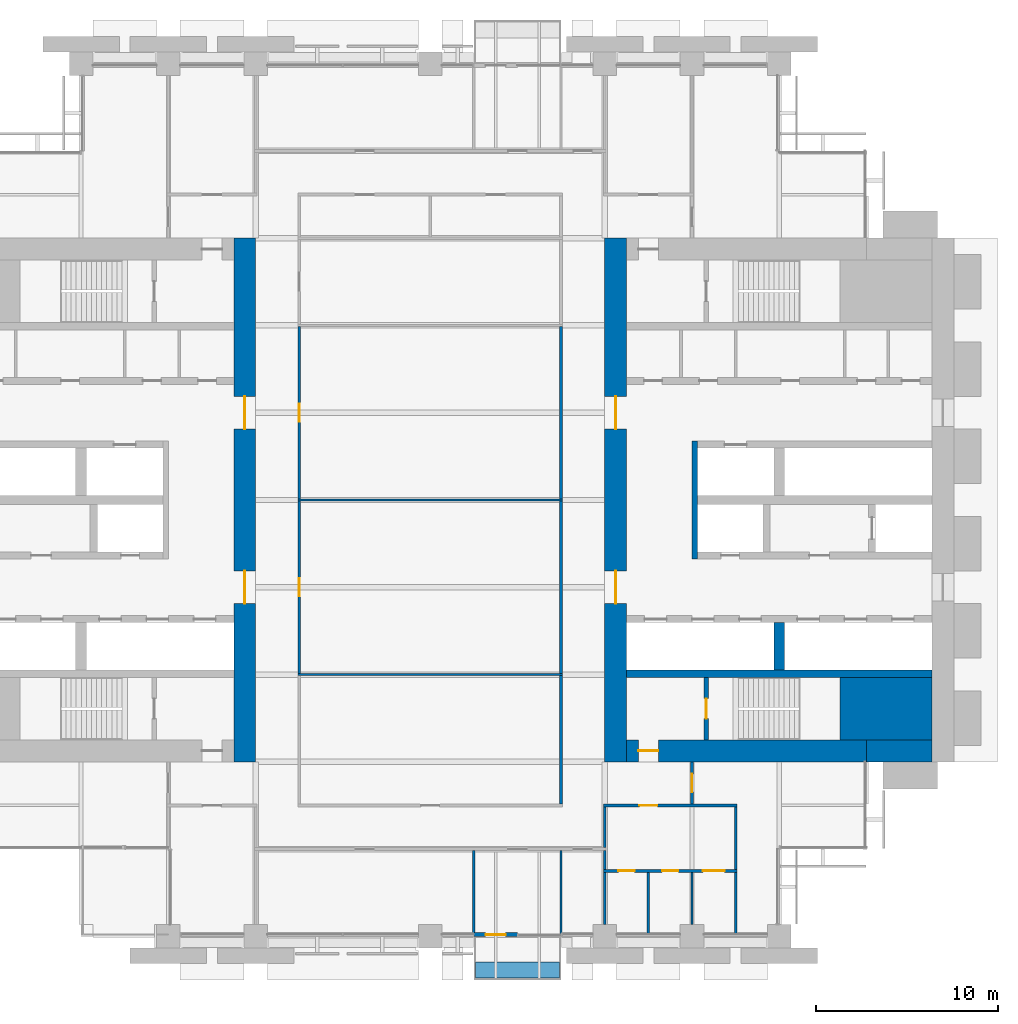
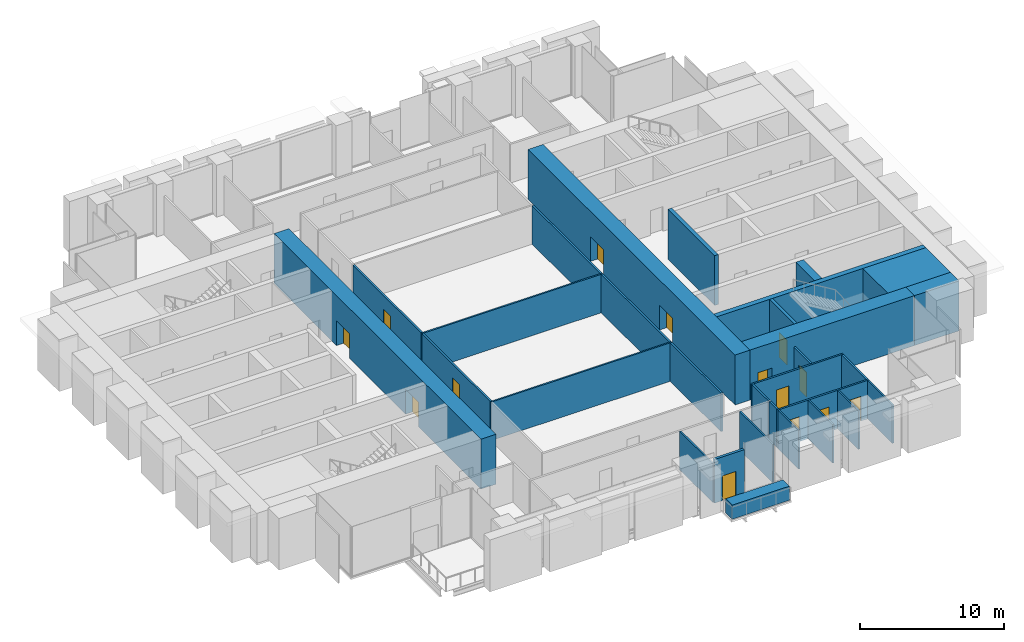
# One storey, part 10 of 15: 30 walls, 14 doors, 14 openings.
"""IFC4 building model written with IfcOpenShell, lengths in metres."""

from ifc_helpers import new_model, si_unit, direction, frame, frame_2d, origin, place, context, subcontext, project, spatial, rectangle, extrude, material, layer, layer_set, type_object, element, fill, save


model = new_model("IFC4")

# Units and contexts
model_context = context("Model", 3, precision=1e-05, world=origin(), true_north=direction((0.0, 1.0)))
body_context = subcontext(model_context, "Body", "Model", "MODEL_VIEW")
ifc_project = project(units=[si_unit("LENGTHUNIT", "METRE"), si_unit("AREAUNIT", "SQUARE_METRE"), si_unit("VOLUMEUNIT", "CUBIC_METRE"), si_unit("PLANEANGLEUNIT", "RADIAN"), si_unit("MASSUNIT", "GRAM", prefix="KILO")], contexts=[model_context])

# Site, building, storey
site_placement = place(None, origin())
site = spatial("IfcSite", under=ifc_project, at=site_placement, CompositionType="ELEMENT")
building_placement = place(site_placement, origin())
building = spatial("IfcBuilding", under=site, at=building_placement, Name="Baori Bourse Tower", CompositionType="ELEMENT")
storey_placement = place(building_placement, frame((0.0, 0.0, 34.60009765625)))
storey = spatial("IfcBuildingStorey", under=building, at=storey_placement, Name="L06", CompositionType="ELEMENT", Elevation=34.60009765625)

# Wall
ifc_material_1 = material(Name="Concrete f'c 70 MPa", Category="concrete")
wall_type_1 = type_object("IfcWallType", Name="Core corner block f'c 70", PredefinedType="SHEAR", material=ifc_material_1)
wall_1_placement = place(storey_placement, frame((51.35009765625, 12.52490234375, 0.0), z_axis=(0.0, 0.0, 1.0), x_axis=(1.0, 0.0, 0.0)))
element("IfcWall", 1, at=wall_1_placement, inside=storey, type_object=wall_type_1, Name="Core wall E05", PredefinedType="SHEAR", context=body_context, shape_type="SweptSolid", body=[
    extrude(rectangle(XDim=5.0498046875, YDim=3.449951171875, at=frame_2d((2.52490234375, 0.0))), origin(), (0.0, 0.0, 1.0), 4.239990234375),
])

# Wall, openings, doors
ifc_material_2 = material(Name="Concrete f'c 70 MPa", Category="concrete")
ifc_layer_1 = layer(ifc_material_2, 1.199951171875)
ifc_layer_set_1 = layer_set([ifc_layer_1], Name="Core wall 1200 f'c 70")
wall_type_2 = type_object("IfcWallType", Name="Core wall 1200 f'c 70", PredefinedType="SHEAR", material=ifc_layer_set_1)
wall_2_placement = place(storey_placement, frame((18.60009765625, 38.39990234375, 0.0), z_axis=(0.0, 0.0, 1.0), x_axis=(0.0, -1.0, 0.0)))
wall_2 = element("IfcWall", 2, at=wall_2_placement, inside=storey, type_object=wall_type_2, Name="Core wall W04", PredefinedType="SHEAR", context=body_context, shape_type="SweptSolid", body=[
    extrude(rectangle(XDim=28.7998046875, YDim=1.199951171875, at=frame_2d((14.39990234375, 0.0))), origin(), (0.0, 0.0, 1.0), 4.239990234375),
])
opening_1_placement = place(wall_2_placement, frame((18.300048828125, 0.0, 0.0)))
opening_1 = element("IfcOpeningElement", 3, at=opening_1_placement, cuts=wall_2, Name="Opening L06-D107", PredefinedType="OPENING", context=body_context, shape_type="SweptSolid", body=[
    extrude(rectangle(XDim=1.800048828125, YDim=2.10009765625, at=frame_2d((0.89990234375, 1.050048828125))), frame((0.0, 0.60986328125, 0.0), z_axis=(0.0, -1.0, 0.0), x_axis=(1.0, 0.0, 0.0)), (0.0, 0.0, 1.0), 1.219970703125),
])
opening_2_placement = place(wall_2_placement, frame((8.699951171875, 0.0, 0.0)))
opening_2 = element("IfcOpeningElement", 4, at=opening_2_placement, cuts=wall_2, Name="Opening L06-D108", PredefinedType="OPENING", context=body_context, shape_type="SweptSolid", body=[
    extrude(rectangle(XDim=1.800048828125, YDim=2.10009765625, at=frame_2d((0.89990234375, 1.050048828125))), frame((0.0, 0.60986328125, 0.0), z_axis=(0.0, -1.0, 0.0), x_axis=(1.0, 0.0, 0.0)), (0.0, 0.0, 1.0), 1.219970703125),
])
ifc_material_3 = material(Name="Painted steel door", Category="steel")
door_type_1 = type_object("IfcDoorType", Name="Core lobby door 1800", OperationType="DOUBLE_DOOR_SINGLE_SWING", PredefinedType="DOOR", material=ifc_material_3)
door_1_placement = place(opening_1_placement, origin())
door_1 = element("IfcDoor", 5, at=door_1_placement, inside=storey, type_object=door_type_1, Name="Lobby door W L06", OperationType="DOUBLE_DOOR_SINGLE_SWING", OverallHeight=2.10009765625, OverallWidth=1.800048828125, PredefinedType="DOOR", context=body_context, shape_type="SweptSolid", body=[
    extrude(rectangle(XDim=1.800048828125, YDim=2.10009765625, at=frame_2d((0.89990234375, 1.050048828125))), frame((0.0, 0.02490234375, 0.0), z_axis=(0.0, -1.0, 0.0), x_axis=(1.0, 0.0, 0.0)), (0.0, 0.0, 1.0), 0.050048828125),
])
fill(opening_1, door_1)
door_2_placement = place(opening_2_placement, origin())
door_2 = element("IfcDoor", 6, at=door_2_placement, inside=storey, type_object=door_type_1, Name="Lobby door W L06", OperationType="DOUBLE_DOOR_SINGLE_SWING", OverallHeight=2.10009765625, OverallWidth=1.800048828125, PredefinedType="DOOR", context=body_context, shape_type="SweptSolid", body=[
    extrude(rectangle(XDim=1.800048828125, YDim=2.10009765625, at=frame_2d((0.89990234375, 1.050048828125))), frame((0.0, 0.02490234375, 0.0), z_axis=(0.0, -1.0, 0.0), x_axis=(1.0, 0.0, 0.0)), (0.0, 0.0, 1.0), 0.050048828125),
])
fill(opening_2, door_2)

# Wall
wall_3_placement = place(storey_placement, frame((56.39990234375, 10.199951171875, 0.0), z_axis=(0.0, 0.0, 1.0), x_axis=(-1.0, 0.0, 0.0)))
element("IfcWall", 7, at=wall_3_placement, inside=storey, type_object=wall_type_2, Name="Core wall E02", PredefinedType="SHEAR", context=body_context, shape_type="SweptSolid", body=[
    extrude(rectangle(XDim=3.599853515625, YDim=1.199951171875, at=frame_2d((1.7998046875, 0.0))), origin(), (0.0, 0.0, 1.0), 4.239990234375),
])

# Wall, opening, door
wall_4_placement = place(storey_placement, frame((52.800048828125, 10.199951171875, 0.0), z_axis=(0.0, 0.0, 1.0), x_axis=(-1.0, 0.0, 0.0)))
wall_4 = element("IfcWall", 8, at=wall_4_placement, inside=storey, type_object=wall_type_2, Name="Core wall E03", PredefinedType="SHEAR", context=body_context, shape_type="SweptSolid", body=[
    extrude(rectangle(XDim=13.199951171875, YDim=1.199951171875, at=frame_2d((6.60009765625, 0.0))), origin(), (0.0, 0.0, 1.0), 4.239990234375),
])
opening_3_placement = place(wall_4_placement, frame((11.449951171875, 0.0, 0.0)))
opening_3 = element("IfcOpeningElement", 9, at=opening_3_placement, cuts=wall_4, Name="Opening L06-D202", PredefinedType="OPENING", context=body_context, shape_type="SweptSolid", body=[
    extrude(rectangle(XDim=1.10009765625, YDim=2.10009765625, at=frame_2d((0.550048828125, 1.050048828125))), frame((0.0, 0.60986328125, 0.0), z_axis=(0.0, -1.0, 0.0), x_axis=(1.0, 0.0, 0.0)), (0.0, 0.0, 1.0), 1.219970703125),
])
ifc_material_4 = material(Name="Painted steel door", Category="steel")
door_type_2 = type_object("IfcDoorType", Name="Stair door 1100", OperationType="SINGLE_SWING_LEFT", PredefinedType="DOOR", material=ifc_material_4)
door_3_placement = place(opening_3_placement, origin())
door_3 = element("IfcDoor", 10, at=door_3_placement, inside=storey, type_object=door_type_2, Name="Stair vestibule door A E L06", OperationType="SINGLE_SWING_LEFT", OverallHeight=2.10009765625, OverallWidth=1.10009765625, PredefinedType="DOOR", context=body_context, shape_type="SweptSolid", body=[
    extrude(rectangle(XDim=1.10009765625, YDim=2.10009765625, at=frame_2d((0.550048828125, 1.050048828125))), frame((0.0, 0.02490234375, 0.0), z_axis=(0.0, -1.0, 0.0), x_axis=(1.0, 0.0, 0.0)), (0.0, 0.0, 1.0), 0.050048828125),
])
fill(opening_3, door_3)

# Wall, openings, doors
wall_5_placement = place(storey_placement, frame((39.0, 9.60009765625, 0.0), z_axis=(0.0, 0.0, 1.0), x_axis=(0.0, 1.0, 0.0)))
wall_5 = element("IfcWall", 11, at=wall_5_placement, inside=storey, type_object=wall_type_2, Name="Core wall E04", PredefinedType="SHEAR", context=body_context, shape_type="SweptSolid", body=[
    extrude(rectangle(XDim=28.7998046875, YDim=1.199951171875, at=frame_2d((14.39990234375, 0.0))), origin(), (0.0, 0.0, 1.0), 4.239990234375),
])
opening_4_placement = place(wall_5_placement, frame((8.699951171875, 0.0, 0.0)))
opening_4 = element("IfcOpeningElement", 12, at=opening_4_placement, cuts=wall_5, Name="Opening L06-D207", PredefinedType="OPENING", context=body_context, shape_type="SweptSolid", body=[
    extrude(rectangle(XDim=1.800048828125, YDim=2.10009765625, at=frame_2d((0.89990234375, 1.050048828125))), frame((0.0, 0.60986328125, 0.0), z_axis=(0.0, -1.0, 0.0), x_axis=(1.0, 0.0, 0.0)), (0.0, 0.0, 1.0), 1.219970703125),
])
opening_5_placement = place(wall_5_placement, frame((18.300048828125, 0.0, 0.0)))
opening_5 = element("IfcOpeningElement", 13, at=opening_5_placement, cuts=wall_5, Name="Opening L06-D208", PredefinedType="OPENING", context=body_context, shape_type="SweptSolid", body=[
    extrude(rectangle(XDim=1.800048828125, YDim=2.10009765625, at=frame_2d((0.89990234375, 1.050048828125))), frame((0.0, 0.60986328125, 0.0), z_axis=(0.0, -1.0, 0.0), x_axis=(1.0, 0.0, 0.0)), (0.0, 0.0, 1.0), 1.219970703125),
])
door_4_placement = place(opening_4_placement, origin())
door_4 = element("IfcDoor", 14, at=door_4_placement, inside=storey, type_object=door_type_1, Name="Lobby door E L06", OperationType="DOUBLE_DOOR_SINGLE_SWING", OverallHeight=2.10009765625, OverallWidth=1.800048828125, PredefinedType="DOOR", context=body_context, shape_type="SweptSolid", body=[
    extrude(rectangle(XDim=1.800048828125, YDim=2.10009765625, at=frame_2d((0.89990234375, 1.050048828125))), frame((0.0, 0.02490234375, 0.0), z_axis=(0.0, -1.0, 0.0), x_axis=(1.0, 0.0, 0.0)), (0.0, 0.0, 1.0), 0.050048828125),
])
fill(opening_4, door_4)
door_5_placement = place(opening_5_placement, origin())
door_5 = element("IfcDoor", 15, at=door_5_placement, inside=storey, type_object=door_type_1, Name="Lobby door E L06", OperationType="DOUBLE_DOOR_SINGLE_SWING", OverallHeight=2.10009765625, OverallWidth=1.800048828125, PredefinedType="DOOR", context=body_context, shape_type="SweptSolid", body=[
    extrude(rectangle(XDim=1.800048828125, YDim=2.10009765625, at=frame_2d((0.89990234375, 1.050048828125))), frame((0.0, 0.02490234375, 0.0), z_axis=(0.0, -1.0, 0.0), x_axis=(1.0, 0.0, 0.0)), (0.0, 0.0, 1.0), 0.050048828125),
])
fill(opening_5, door_5)

ifc_material_5 = material(Name="Gypsum board partition")
ifc_layer_2 = layer(ifc_material_5, 0.14990234375)
ifc_layer_set_2 = layer_set([ifc_layer_2], Name="Corridor partition 150")
wall_type_3 = type_object("IfcWallType", Name="Corridor partition 150", PredefinedType="PARTITIONING", material=ifc_layer_set_2)
wall_6_placement = place(storey_placement, frame((38.324951171875, 3.60009765625, 0.0), z_axis=(0.0, 0.0, 1.0), x_axis=(1.0, 0.0, 0.0)))
wall_6 = element("IfcWall", 16, at=wall_6_placement, inside=storey, type_object=wall_type_3, Name="Partition", PredefinedType="PARTITIONING", context=body_context, shape_type="SweptSolid", body=[
    extrude(rectangle(XDim=7.35009765625, YDim=0.14990234375, at=frame_2d((3.675048828125, 0.0))), origin(), (0.0, 0.0, 1.0), 3.26953125),
])
opening_6_placement = place(wall_6_placement, frame((0.824951171875, 0.0, 0.0)))
opening_6 = element("IfcOpeningElement", 17, at=opening_6_placement, cuts=wall_6, Name="Opening L06-D01", PredefinedType="OPENING", context=body_context, shape_type="SweptSolid", body=[
    extrude(rectangle(XDim=0.89990234375, YDim=2.10009765625, at=frame_2d((0.449951171875, 1.050048828125))), frame((0.0, 0.0849609375, 0.0), z_axis=(0.0, -1.0, 0.0), x_axis=(1.0, 0.0, 0.0)), (0.0, 0.0, 1.0), 0.169921875),
])
opening_7_placement = place(wall_6_placement, frame((3.22509765625, 0.0, 0.0)))
opening_7 = element("IfcOpeningElement", 18, at=opening_7_placement, cuts=wall_6, Name="Opening L06-D02", PredefinedType="OPENING", context=body_context, shape_type="SweptSolid", body=[
    extrude(rectangle(XDim=0.89990234375, YDim=2.10009765625, at=frame_2d((0.449951171875, 1.050048828125))), frame((0.0, 0.0849609375, 0.0), z_axis=(0.0, -1.0, 0.0), x_axis=(1.0, 0.0, 0.0)), (0.0, 0.0, 1.0), 0.169921875),
])
opening_8_placement = place(wall_6_placement, frame((5.47509765625, 0.0, 0.0)))
opening_8 = element("IfcOpeningElement", 19, at=opening_8_placement, cuts=wall_6, Name="Opening L06-D03", PredefinedType="OPENING", context=body_context, shape_type="SweptSolid", body=[
    extrude(rectangle(XDim=1.199951171875, YDim=2.10009765625, at=frame_2d((0.60009765625, 1.050048828125))), frame((0.0, 0.0849609375, 0.0), z_axis=(0.0, -1.0, 0.0), x_axis=(1.0, 0.0, 0.0)), (0.0, 0.0, 1.0), 0.169921875),
])
ifc_material_6 = material(Name="Timber door leaf", Category="wood")
door_type_3 = type_object("IfcDoorType", Name="Door 1200 x 2100", OperationType="SINGLE_SWING_LEFT", PredefinedType="DOOR", material=ifc_material_6)
door_6_placement = place(opening_8_placement, origin())
door_6 = element("IfcDoor", 20, at=door_6_placement, inside=storey, type_object=door_type_3, Name="Door", OperationType="SINGLE_SWING_RIGHT", OverallHeight=2.10009765625, OverallWidth=1.199951171875, PredefinedType="DOOR", context=body_context, shape_type="SweptSolid", body=[
    extrude(rectangle(XDim=1.199951171875, YDim=2.10009765625, at=frame_2d((0.60009765625, 1.050048828125))), frame((0.0, 0.02490234375, 0.0), z_axis=(0.0, -1.0, 0.0), x_axis=(1.0, 0.0, 0.0)), (0.0, 0.0, 1.0), 0.050048828125),
])
fill(opening_8, door_6)
ifc_material_7 = material(Name="Timber door leaf", Category="wood")
door_type_4 = type_object("IfcDoorType", Name="Door 900 x 2100", OperationType="SINGLE_SWING_LEFT", PredefinedType="DOOR", material=ifc_material_7)
door_7_placement = place(opening_6_placement, origin())
door_7 = element("IfcDoor", 21, at=door_7_placement, inside=storey, type_object=door_type_4, Name="Door", OperationType="SINGLE_SWING_LEFT", OverallHeight=2.10009765625, OverallWidth=0.89990234375, PredefinedType="DOOR", context=body_context, shape_type="SweptSolid", body=[
    extrude(rectangle(XDim=0.89990234375, YDim=2.10009765625, at=frame_2d((0.449951171875, 1.050048828125))), frame((0.0, 0.02490234375, 0.0), z_axis=(0.0, -1.0, 0.0), x_axis=(1.0, 0.0, 0.0)), (0.0, 0.0, 1.0), 0.050048828125),
])
fill(opening_6, door_7)
door_8_placement = place(opening_7_placement, origin())
door_8 = element("IfcDoor", 22, at=door_8_placement, inside=storey, type_object=door_type_4, Name="Door", OperationType="SINGLE_SWING_LEFT", OverallHeight=2.10009765625, OverallWidth=0.89990234375, PredefinedType="DOOR", context=body_context, shape_type="SweptSolid", body=[
    extrude(rectangle(XDim=0.89990234375, YDim=2.10009765625, at=frame_2d((0.449951171875, 1.050048828125))), frame((0.0, 0.02490234375, 0.0), z_axis=(0.0, -1.0, 0.0), x_axis=(1.0, 0.0, 0.0)), (0.0, 0.0, 1.0), 0.050048828125),
])
fill(opening_7, door_8)

# Wall, opening, door
wall_7_placement = place(storey_placement, frame((38.324951171875, 7.199951171875, 0.0), z_axis=(0.0, 0.0, 1.0), x_axis=(1.0, 0.0, 0.0)))
wall_7 = element("IfcWall", 23, at=wall_7_placement, inside=storey, type_object=wall_type_3, Name="Partition", PredefinedType="PARTITIONING", context=body_context, shape_type="SweptSolid", body=[
    extrude(rectangle(XDim=7.35009765625, YDim=0.14990234375, at=frame_2d((3.675048828125, 0.0))), origin(), (0.0, 0.0, 1.0), 3.26953125),
])
opening_9_placement = place(wall_7_placement, frame((1.97509765625, 0.0, 0.0)))
opening_9 = element("IfcOpeningElement", 24, at=opening_9_placement, cuts=wall_7, Name="Opening L06-D09", PredefinedType="OPENING", context=body_context, shape_type="SweptSolid", body=[
    extrude(rectangle(XDim=1.0, YDim=2.10009765625, at=frame_2d((0.5, 1.050048828125))), frame((0.0, 0.0849609375, 0.0), z_axis=(0.0, -1.0, 0.0), x_axis=(1.0, 0.0, 0.0)), (0.0, 0.0, 1.0), 0.169921875),
])
ifc_material_8 = material(Name="Timber door leaf", Category="wood")
door_type_5 = type_object("IfcDoorType", Name="Door 1000 x 2100", OperationType="SINGLE_SWING_LEFT", PredefinedType="DOOR", material=ifc_material_8)
door_9_placement = place(opening_9_placement, origin())
door_9 = element("IfcDoor", 25, at=door_9_placement, inside=storey, type_object=door_type_5, Name="Door", OperationType="SINGLE_SWING_RIGHT", OverallHeight=2.10009765625, OverallWidth=1.0, PredefinedType="DOOR", context=body_context, shape_type="SweptSolid", body=[
    extrude(rectangle(XDim=1.0, YDim=2.10009765625, at=frame_2d((0.5, 1.050048828125))), frame((0.0, 0.02490234375, 0.0), z_axis=(0.0, -1.0, 0.0), x_axis=(1.0, 0.0, 0.0)), (0.0, 0.0, 1.0), 0.050048828125),
])
fill(opening_9, door_9)

wall_8_placement = place(storey_placement, frame((21.60009765625, 14.46240234375, 0.0), z_axis=(0.0, 0.0, 1.0), x_axis=(0.0, 1.0, 0.0)))
wall_8 = element("IfcWall", 26, at=wall_8_placement, inside=storey, type_object=wall_type_3, Name="Partition", PredefinedType="PARTITIONING", context=body_context, shape_type="SweptSolid", body=[
    extrude(rectangle(XDim=9.47509765625, YDim=0.14990234375, at=frame_2d((4.737548828125, 0.0))), origin(), (0.0, 0.0, 1.0), 3.26953125),
])
opening_10_placement = place(wall_8_placement, frame((4.237548828125, 0.0, 0.0)))
opening_10 = element("IfcOpeningElement", 27, at=opening_10_placement, cuts=wall_8, Name="Opening L06-D19", PredefinedType="OPENING", context=body_context, shape_type="SweptSolid", body=[
    extrude(rectangle(XDim=1.0, YDim=2.10009765625, at=frame_2d((0.5, 1.050048828125))), frame((0.0, 0.0849609375, 0.0), z_axis=(0.0, -1.0, 0.0), x_axis=(1.0, 0.0, 0.0)), (0.0, 0.0, 1.0), 0.169921875),
])
door_10_placement = place(opening_10_placement, origin())
door_10 = element("IfcDoor", 28, at=door_10_placement, inside=storey, type_object=door_type_5, Name="Door", OperationType="SINGLE_SWING_LEFT", OverallHeight=2.10009765625, OverallWidth=1.0, PredefinedType="DOOR", context=body_context, shape_type="SweptSolid", body=[
    extrude(rectangle(XDim=1.0, YDim=2.10009765625, at=frame_2d((0.5, 1.050048828125))), frame((0.0, 0.02490234375, 0.0), z_axis=(0.0, -1.0, 0.0), x_axis=(1.0, 0.0, 0.0)), (0.0, 0.0, 1.0), 0.050048828125),
])
fill(opening_10, door_10)

wall_9_placement = place(storey_placement, frame((21.60009765625, 24.0625, 0.0), z_axis=(0.0, 0.0, 1.0), x_axis=(0.0, 1.0, 0.0)))
wall_9 = element("IfcWall", 29, at=wall_9_placement, inside=storey, type_object=wall_type_3, Name="Partition", PredefinedType="PARTITIONING", context=body_context, shape_type="SweptSolid", body=[
    extrude(rectangle(XDim=9.47509765625, YDim=0.14990234375, at=frame_2d((4.737548828125, 0.0))), origin(), (0.0, 0.0, 1.0), 3.26953125),
])
opening_11_placement = place(wall_9_placement, frame((4.237548828125, 0.0, 0.0)))
opening_11 = element("IfcOpeningElement", 30, at=opening_11_placement, cuts=wall_9, Name="Opening L06-D20", PredefinedType="OPENING", context=body_context, shape_type="SweptSolid", body=[
    extrude(rectangle(XDim=1.0, YDim=2.10009765625, at=frame_2d((0.5, 1.050048828125))), frame((0.0, 0.0849609375, 0.0), z_axis=(0.0, -1.0, 0.0), x_axis=(1.0, 0.0, 0.0)), (0.0, 0.0, 1.0), 0.169921875),
])
door_11_placement = place(opening_11_placement, origin())
door_11 = element("IfcDoor", 31, at=door_11_placement, inside=storey, type_object=door_type_5, Name="Door", OperationType="SINGLE_SWING_LEFT", OverallHeight=2.10009765625, OverallWidth=1.0, PredefinedType="DOOR", context=body_context, shape_type="SweptSolid", body=[
    extrude(rectangle(XDim=1.0, YDim=2.10009765625, at=frame_2d((0.5, 1.050048828125))), frame((0.0, 0.02490234375, 0.0), z_axis=(0.0, -1.0, 0.0), x_axis=(1.0, 0.0, 0.0)), (0.0, 0.0, 1.0), 0.050048828125),
])
fill(opening_11, door_11)

# Walls
wall_10_placement = place(storey_placement, frame((36.0, 7.27490234375, 0.0), z_axis=(0.0, 0.0, 1.0), x_axis=(0.0, 1.0, 0.0)))
element("IfcWall", 32, at=wall_10_placement, inside=storey, type_object=wall_type_3, Name="Partition", PredefinedType="PARTITIONING", context=body_context, shape_type="SweptSolid", body=[
    extrude(rectangle(XDim=7.0625, YDim=0.14990234375, at=frame_2d((3.53125, 0.0))), origin(), (0.0, 0.0, 1.0), 3.26953125),
])
for number, where, z_axis, x_axis, name in (
    (33, (36.0, 14.46240234375, 0.0), (0.0, 0.0, 1.0), (0.0, 1.0, 0.0), "Partition"),
    (34, (36.0, 24.0625, 0.0), (0.0, 0.0, 1.0), (0.0, 1.0, 0.0), "Partition"),
):
    element("IfcWall", number, at=place(storey_placement, frame(where, z_axis=z_axis, x_axis=x_axis)), inside=storey, type_object=wall_type_3, Name=name, PredefinedType="PARTITIONING", context=body_context, shape_type="SweptSolid", body=[
        extrude(rectangle(XDim=9.47509765625, YDim=0.14990234375, at=frame_2d((4.737548828125, 0.0))), origin(), (0.0, 0.0, 1.0), 3.26953125),
    ])
wall_11_placement = place(storey_placement, frame((38.39990234375, 3.675048828125, 0.0), z_axis=(0.0, 0.0, 1.0), x_axis=(0.0, 1.0, 0.0)))
element("IfcWall", 35, at=wall_11_placement, inside=storey, type_object=wall_type_3, Name="Partition", PredefinedType="PARTITIONING", context=body_context, shape_type="SweptSolid", body=[
    extrude(rectangle(XDim=1.050048828125, YDim=0.14990234375, at=frame_2d((0.52490234375, 0.0))), origin(), (0.0, 0.0, 1.0), 3.26953125),
])
wall_12_placement = place(storey_placement, frame((38.39990234375, 4.875, 0.0), z_axis=(0.0, 0.0, 1.0), x_axis=(0.0, 1.0, 0.0)))
element("IfcWall", 36, at=wall_12_placement, inside=storey, type_object=wall_type_3, Name="Partition", PredefinedType="PARTITIONING", context=body_context, shape_type="SweptSolid", body=[
    extrude(rectangle(XDim=2.25, YDim=0.14990234375, at=frame_2d((1.125, 0.0))), origin(), (0.0, 0.0, 1.0), 3.26953125),
])

# Wall, opening, door
wall_13_placement = place(storey_placement, frame((43.199951171875, 7.27490234375, 0.0), z_axis=(0.0, 0.0, 1.0), x_axis=(0.0, 1.0, 0.0)))
wall_13 = element("IfcWall", 37, at=wall_13_placement, inside=storey, type_object=wall_type_3, Name="Partition", PredefinedType="PARTITIONING", context=body_context, shape_type="SweptSolid", body=[
    extrude(rectangle(XDim=2.3251953125, YDim=0.14990234375, at=frame_2d((1.16259765625, 0.0))), origin(), (0.0, 0.0, 1.0), 3.26953125),
])
opening_12_placement = place(wall_13_placement, frame((0.66259765625, 0.0, 0.0)))
opening_12 = element("IfcOpeningElement", 38, at=opening_12_placement, cuts=wall_13, Name="Opening L06-D22", PredefinedType="OPENING", context=body_context, shape_type="SweptSolid", body=[
    extrude(rectangle(XDim=1.0, YDim=2.10009765625, at=frame_2d((0.5, 1.050048828125))), frame((0.0, 0.0849609375, 0.0), z_axis=(0.0, -1.0, 0.0), x_axis=(1.0, 0.0, 0.0)), (0.0, 0.0, 1.0), 0.169921875),
])
door_12_placement = place(opening_12_placement, origin())
door_12 = element("IfcDoor", 39, at=door_12_placement, inside=storey, type_object=door_type_5, Name="Door", OperationType="SINGLE_SWING_LEFT", OverallHeight=2.10009765625, OverallWidth=1.0, PredefinedType="DOOR", context=body_context, shape_type="SweptSolid", body=[
    extrude(rectangle(XDim=1.0, YDim=2.10009765625, at=frame_2d((0.5, 1.050048828125))), frame((0.0, 0.02490234375, 0.0), z_axis=(0.0, -1.0, 0.0), x_axis=(1.0, 0.0, 0.0)), (0.0, 0.0, 1.0), 0.050048828125),
])
fill(opening_12, door_12)

# Wall
wall_14_placement = place(storey_placement, frame((45.60009765625, 3.675048828125, 0.0), z_axis=(0.0, 0.0, 1.0), x_axis=(0.0, 1.0, 0.0)))
element("IfcWall", 40, at=wall_14_placement, inside=storey, type_object=wall_type_3, Name="Partition", PredefinedType="PARTITIONING", context=body_context, shape_type="SweptSolid", body=[
    extrude(rectangle(XDim=3.449951171875, YDim=0.14990234375, at=frame_2d((1.72509765625, 0.0))), origin(), (0.0, 0.0, 1.0), 3.26953125),
])

# Wall, opening, door
ifc_material_9 = material(Name="Pale anodised aluminium", Category="aluminium")
ifc_layer_3 = layer(ifc_material_9, 0.199951171875)
ifc_layer_set_3 = layer_set([ifc_layer_3], Name="EW1 External wall bay")
wall_type_4 = type_object("IfcWallType", Name="EW1 External wall bay", PredefinedType="SOLIDWALL", material=ifc_layer_set_3)
wall_15_placement = place(storey_placement, frame((31.199951171875, 0.10009765625, 0.0), z_axis=(0.0, 0.0, 1.0), x_axis=(1.0, 0.0, 0.0)))
wall_15 = element("IfcWall", 41, at=wall_15_placement, inside=storey, type_object=wall_type_4, Name="External wall bay L06 3", PredefinedType="SOLIDWALL", context=body_context, shape_type="SweptSolid", body=[
    extrude(rectangle(XDim=2.400146484375, YDim=0.199951171875, at=frame_2d((1.2001953125, 0.0))), origin(), (0.0, 0.0, 1.0), 3.714111328125),
])
opening_13_placement = place(wall_15_placement, frame((0.64990234375, 0.0, 0.0)))
opening_13 = element("IfcOpeningElement", 42, at=opening_13_placement, cuts=wall_15, Name="Opening L06-D93", PredefinedType="OPENING", context=body_context, shape_type="SweptSolid", body=[
    extrude(rectangle(XDim=1.10009765625, YDim=2.10009765625, at=frame_2d((0.550048828125, 1.050048828125))), frame((0.0, 0.10986328125, 0.0), z_axis=(0.0, -1.0, 0.0), x_axis=(1.0, 0.0, 0.0)), (0.0, 0.0, 1.0), 0.219970703125),
])
ifc_material_10 = material(Name="Pale anodised aluminium", Category="aluminium")
door_type_6 = type_object("IfcDoorType", Name="BL1 Balcony door", OperationType="SINGLE_SWING_LEFT", PredefinedType="DOOR", material=ifc_material_10)
door_13_placement = place(opening_13_placement, origin())
door_13 = element("IfcDoor", 43, at=door_13_placement, inside=storey, type_object=door_type_6, Name="Balcony door L06 3", OperationType="SINGLE_SWING_LEFT", OverallHeight=2.10009765625, OverallWidth=1.10009765625, PredefinedType="DOOR", context=body_context, shape_type="SweptSolid", body=[
    extrude(rectangle(XDim=1.10009765625, YDim=2.10009765625, at=frame_2d((0.550048828125, 1.050048828125))), frame((0.0, 0.02490234375, 0.0), z_axis=(0.0, -1.0, 0.0), x_axis=(1.0, 0.0, 0.0)), (0.0, 0.0, 1.0), 0.050048828125),
])
fill(opening_13, door_13)

# Walls
ifc_material_11 = material(Name="Concrete f'c 40 MPa", Category="concrete")
ifc_layer_4 = layer(ifc_material_11, 0.89990234375)
ifc_layer_set_4 = layer_set([ifc_layer_4], Name="PW1 Planter wall")
wall_type_5 = type_object("IfcWallType", Name="PW1 Planter wall", PredefinedType="USERDEFINED", material=ifc_layer_set_4)
wall_16_placement = place(storey_placement, frame((31.300048828125, -1.85009765625, 0.0), z_axis=(0.0, 0.0, 1.0), x_axis=(1.0, 0.0, 0.0)))
element("IfcWall", 44, at=wall_16_placement, inside=storey, type_object=wall_type_5, Name="Planter balcony S L06 1", ObjectType="PLANTER", PredefinedType="USERDEFINED", context=body_context, shape_type="SweptSolid", body=[
    extrude(rectangle(XDim=4.599853515625, YDim=0.89990234375, at=frame_2d((2.2998046875, 0.0))), origin(), (0.0, 0.0, 1.0), 1.199951171875),
])
ifc_material_12 = material(Name="Gypsum board partition")
ifc_layer_5 = layer(ifc_material_12, 0.125)
ifc_layer_set_5 = layer_set([ifc_layer_5], Name="Partition 125")
wall_type_6 = type_object("IfcWallType", Name="Partition 125", PredefinedType="PARTITIONING", material=ifc_layer_set_5)
for number, where, z_axis, x_axis, name in (
    (45, (21.52490234375, 14.39990234375, 0.0), (0.0, 0.0, 1.0), (1.0, 0.0, 0.0), "Partition"),
    (46, (21.52490234375, 24.0, 0.0), (0.0, 0.0, 1.0), (1.0, 0.0, 0.0), "Partition"),
):
    element("IfcWall", number, at=place(storey_placement, frame(where, z_axis=z_axis, x_axis=x_axis)), inside=storey, type_object=wall_type_6, Name=name, PredefinedType="PARTITIONING", context=body_context, shape_type="SweptSolid", body=[
        extrude(rectangle(XDim=14.550048828125, YDim=0.125, at=frame_2d((7.27490234375, 0.0))), origin(), (0.0, 0.0, 1.0), 3.26953125),
    ])
for number, where, z_axis, x_axis, name in (
    (47, (31.199951171875, 0.10009765625, 0.0), (0.0, 0.0, 1.0), (0.0, 1.0, 0.0), "Partition"),
    (48, (36.0, 0.10009765625, 0.0), (0.0, 0.0, 1.0), (0.0, 1.0, 0.0), "Partition"),
):
    element("IfcWall", number, at=place(storey_placement, frame(where, z_axis=z_axis, x_axis=x_axis)), inside=storey, type_object=wall_type_6, Name=name, PredefinedType="PARTITIONING", context=body_context, shape_type="SweptSolid", body=[
        extrude(rectangle(XDim=4.625, YDim=0.125, at=frame_2d((2.3125, 0.0))), origin(), (0.0, 0.0, 1.0), 3.26953125),
    ])
wall_17_placement = place(storey_placement, frame((38.39990234375, 0.64990234375, 0.0), z_axis=(0.0, 0.0, 1.0), x_axis=(0.0, 1.0, 0.0)))
element("IfcWall", 49, at=wall_17_placement, inside=storey, type_object=wall_type_6, Name="Partition", PredefinedType="PARTITIONING", context=body_context, shape_type="SweptSolid", body=[
    extrude(rectangle(XDim=2.875, YDim=0.125, at=frame_2d((1.4375, 0.0))), origin(), (0.0, 0.0, 1.0), 3.26953125),
])
wall_18_placement = place(storey_placement, frame((40.800048828125, 0.10009765625, 0.0), z_axis=(0.0, 0.0, 1.0), x_axis=(0.0, 1.0, 0.0)))
element("IfcWall", 50, at=wall_18_placement, inside=storey, type_object=wall_type_6, Name="Partition", PredefinedType="PARTITIONING", context=body_context, shape_type="SweptSolid", body=[
    extrude(rectangle(XDim=3.4248046875, YDim=0.125, at=frame_2d((1.71240234375, 0.0))), origin(), (0.0, 0.0, 1.0), 3.26953125),
])
wall_19_placement = place(storey_placement, frame((43.199951171875, 0.64990234375, 0.0), z_axis=(0.0, 0.0, 1.0), x_axis=(0.0, 1.0, 0.0)))
element("IfcWall", 51, at=wall_19_placement, inside=storey, type_object=wall_type_6, Name="Partition", PredefinedType="PARTITIONING", context=body_context, shape_type="SweptSolid", body=[
    extrude(rectangle(XDim=2.875, YDim=0.125, at=frame_2d((1.4375, 0.0))), origin(), (0.0, 0.0, 1.0), 3.26953125),
])
wall_20_placement = place(storey_placement, frame((45.60009765625, 0.10009765625, 0.0), z_axis=(0.0, 0.0, 1.0), x_axis=(0.0, 1.0, 0.0)))
element("IfcWall", 52, at=wall_20_placement, inside=storey, type_object=wall_type_6, Name="Partition", PredefinedType="PARTITIONING", context=body_context, shape_type="SweptSolid", body=[
    extrude(rectangle(XDim=3.4248046875, YDim=0.125, at=frame_2d((1.71240234375, 0.0))), origin(), (0.0, 0.0, 1.0), 3.26953125),
])

# Wall, opening, door
ifc_material_13 = material(Name="Concrete f'c 70 MPa", Category="concrete")
ifc_layer_6 = layer(ifc_material_13, 0.25)
ifc_layer_set_6 = layer_set([ifc_layer_6], Name="Shaft wall 250 f'c 70")
wall_type_7 = type_object("IfcWallType", Name="Shaft wall 250 f'c 70", PredefinedType="SHEAR", material=ifc_layer_set_6)
wall_21_placement = place(storey_placement, frame((43.97509765625, 10.800048828125, 0.0), z_axis=(0.0, 0.0, 1.0), x_axis=(0.0, 1.0, 0.0)))
wall_21 = element("IfcWall", 53, at=wall_21_placement, inside=storey, type_object=wall_type_7, Name="Core wall E06", PredefinedType="SHEAR", context=body_context, shape_type="SweptSolid", body=[
    extrude(rectangle(XDim=3.449951171875, YDim=0.25, at=frame_2d((1.72509765625, 0.0))), origin(), (0.0, 0.0, 1.0), 4.239990234375),
])
opening_14_placement = place(wall_21_placement, frame((1.175048828125, 0.0, 0.0)))
opening_14 = element("IfcOpeningElement", 54, at=opening_14_placement, cuts=wall_21, Name="Opening L06-D201", PredefinedType="OPENING", context=body_context, shape_type="SweptSolid", body=[
    extrude(rectangle(XDim=1.10009765625, YDim=2.10009765625, at=frame_2d((0.550048828125, 1.050048828125))), frame((0.0, 0.135009765625, 0.0), z_axis=(0.0, -1.0, 0.0), x_axis=(1.0, 0.0, 0.0)), (0.0, 0.0, 1.0), 0.27001953125),
])
door_14_placement = place(opening_14_placement, origin())
door_14 = element("IfcDoor", 55, at=door_14_placement, inside=storey, type_object=door_type_2, Name="Stair door A E L06", OperationType="SINGLE_SWING_LEFT", OverallHeight=2.10009765625, OverallWidth=1.10009765625, PredefinedType="DOOR", context=body_context, shape_type="SweptSolid", body=[
    extrude(rectangle(XDim=1.10009765625, YDim=2.10009765625, at=frame_2d((0.550048828125, 1.050048828125))), frame((0.0, 0.02490234375, 0.0), z_axis=(0.0, -1.0, 0.0), x_axis=(1.0, 0.0, 0.0)), (0.0, 0.0, 1.0), 0.050048828125),
])
fill(opening_14, door_14)

# Walls
ifc_material_14 = material(Name="Concrete f'c 70 MPa", Category="concrete")
ifc_layer_7 = layer(ifc_material_14, 0.300048828125)
ifc_layer_set_7 = layer_set([ifc_layer_7], Name="Shaft wall 300 f'c 70")
wall_type_8 = type_object("IfcWallType", Name="Shaft wall 300 f'c 70", PredefinedType="SHEAR", material=ifc_layer_set_7)
wall_22_placement = place(storey_placement, frame((43.35009765625, 20.75, 0.0), z_axis=(0.0, 0.0, 1.0), x_axis=(0.0, 1.0, 0.0)))
element("IfcWall", 56, at=wall_22_placement, inside=storey, type_object=wall_type_8, Name="Core wall E11", PredefinedType="SHEAR", context=body_context, shape_type="SweptSolid", body=[
    extrude(rectangle(XDim=6.5, YDim=0.300048828125, at=frame_2d((3.25, 0.0))), origin(), (0.0, 0.0, 1.0), 4.239990234375),
])
ifc_material_15 = material(Name="Concrete f'c 70 MPa", Category="concrete")
ifc_layer_8 = layer(ifc_material_15, 0.39990234375)
ifc_layer_set_8 = layer_set([ifc_layer_8], Name="Shaft wall 400 f'c 70")
wall_type_9 = type_object("IfcWallType", Name="Shaft wall 400 f'c 70", PredefinedType="SHEAR", material=ifc_layer_set_8)
wall_23_placement = place(storey_placement, frame((39.60009765625, 14.449951171875, 0.0), z_axis=(0.0, 0.0, 1.0), x_axis=(1.0, 0.0, 0.0)))
element("IfcWall", 57, at=wall_23_placement, inside=storey, type_object=wall_type_9, Name="Core wall E07", PredefinedType="SHEAR", context=body_context, shape_type="SweptSolid", body=[
    extrude(rectangle(XDim=16.7998046875, YDim=0.39990234375, at=frame_2d((8.39990234375, 0.0))), origin(), (0.0, 0.0, 1.0), 4.239990234375),
])
ifc_material_16 = material(Name="Concrete f'c 70 MPa", Category="concrete")
ifc_layer_9 = layer(ifc_material_16, 0.60009765625)
ifc_layer_set_9 = layer_set([ifc_layer_9], Name="Shaft wall 600 f'c 70")
wall_type_10 = type_object("IfcWallType", Name="Shaft wall 600 f'c 70", PredefinedType="SHEAR", material=ifc_layer_set_9)
wall_24_placement = place(storey_placement, frame((48.0, 14.64990234375, 0.0), z_axis=(0.0, 0.0, 1.0), x_axis=(0.0, 1.0, 0.0)))
element("IfcWall", 58, at=wall_24_placement, inside=storey, type_object=wall_type_10, Name="Core wall E08", PredefinedType="SHEAR", context=body_context, shape_type="SweptSolid", body=[
    extrude(rectangle(XDim=2.60009765625, YDim=0.60009765625, at=frame_2d((1.300048828125, 0.0))), origin(), (0.0, 0.0, 1.0), 4.239990234375),
])

save(model, "model.ifc")
